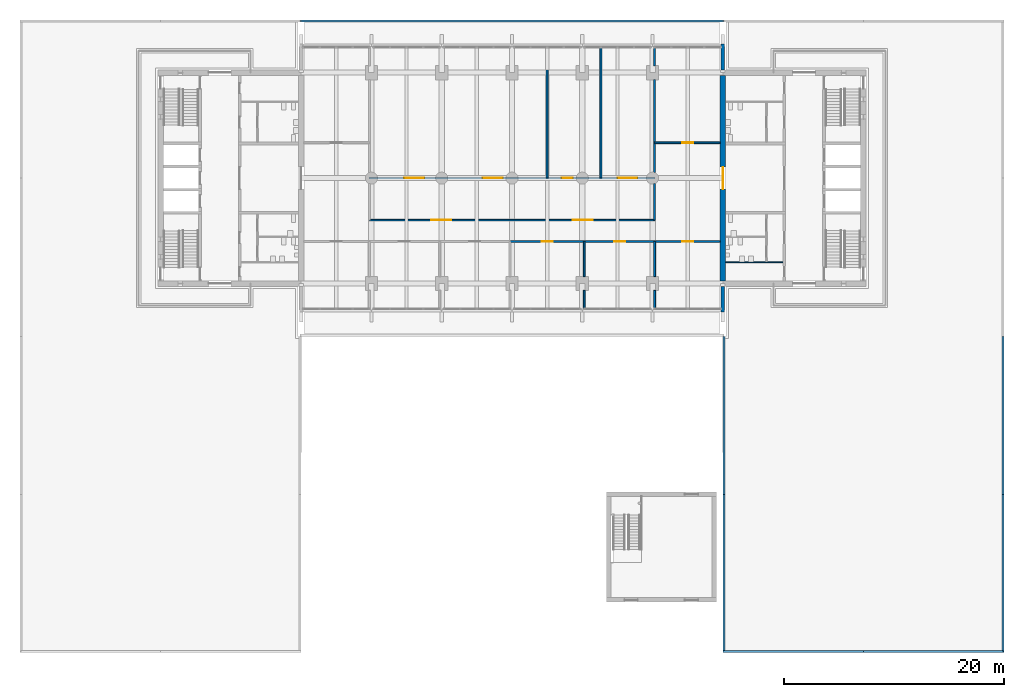
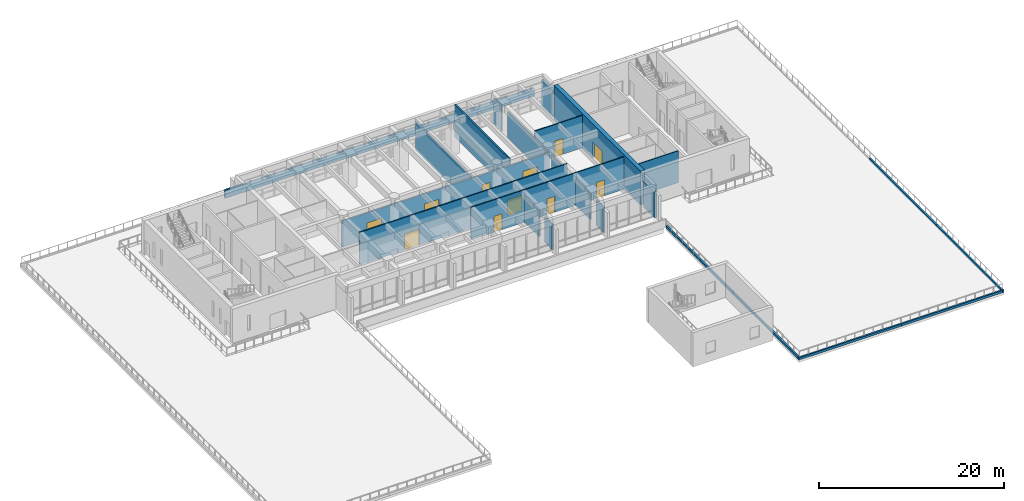
# One storey, part 13 of 21: 26 walls, 11 doors, 11 openings.
"""IFC4 building model written with IfcOpenShell, lengths in metres."""

from ifc_helpers import new_model, si_unit, direction, frame, frame_2d, origin, place, context, subcontext, project, spatial, rectangle, extrude, material, layer, layer_set, type_object, element, fill, save


model = new_model("IFC4")

# Units and contexts
model_context = context("Model", 3, precision=1e-05, world=origin(), true_north=direction((0.0, 1.0)))
body_context = subcontext(model_context, "Body", "Model", "MODEL_VIEW")
ifc_project = project(units=[si_unit("LENGTHUNIT", "METRE"), si_unit("AREAUNIT", "SQUARE_METRE"), si_unit("VOLUMEUNIT", "CUBIC_METRE"), si_unit("PLANEANGLEUNIT", "RADIAN"), si_unit("MASSUNIT", "GRAM", prefix="KILO")], contexts=[model_context])

# Site, building, storey
site_placement = place(None, origin())
site = spatial("IfcSite", under=ifc_project, at=site_placement, CompositionType="ELEMENT")
building_placement = place(site_placement, origin())
building = spatial("IfcBuilding", under=site, at=building_placement, Name="Fogon Plaza Fire Station and Headquarters Tower", CompositionType="ELEMENT")
storey_placement = place(building_placement, frame((0.0, 0.0, 8.39990234375)))
storey = spatial("IfcBuildingStorey", under=building, at=storey_placement, Name="L02", CompositionType="ELEMENT", Elevation=8.39990234375)

# Walls
ifc_material_1 = material(Name="Concrete C40", Category="concrete")
ifc_layer_1 = layer(ifc_material_1, 0.199951171875)
ifc_layer_set_1 = layer_set([ifc_layer_1], Name="Concrete C40")
wall_type_1 = type_object("IfcWallType", Name="Fair-faced RC Parapet 200", PredefinedType="PARAPET", material=ifc_layer_set_1)
wall_1_placement = place(storey_placement, frame((25.5, 57.5, 0.0), z_axis=(0.0, 0.0, 1.0), x_axis=(1.0, 0.0, 0.0)))
element("IfcWall", 1, at=wall_1_placement, inside=storey, type_object=wall_type_1, Name="Parapet N", PredefinedType="PARAPET", context=body_context, shape_type="SweptSolid", body=[
    extrude(rectangle(XDim=38.60009765625, YDim=0.199951171875, at=frame_2d((19.300048828125, 0.0))), origin(), (0.0, 0.0, 1.0), 1.10009765625),
])
ifc_material_2 = material(Name="Concrete C40", Category="concrete")
ifc_layer_2 = layer(ifc_material_2, 0.300048828125)
ifc_layer_set_2 = layer_set([ifc_layer_2], Name="Concrete C40")
wall_type_2 = type_object("IfcWallType", Name="Fair-faced RC Return Panel 300", PredefinedType="SOLIDWALL", material=ifc_layer_set_2)
wall_2_placement = place(storey_placement, frame((64.0, 31.0, 0.0), z_axis=(0.0, 0.0, 1.0), x_axis=(0.0, 1.0, 0.0)))
element("IfcWall", 2, at=wall_2_placement, inside=storey, type_object=wall_type_2, Name="Bar end return ES L02", PredefinedType="SOLIDWALL", context=body_context, shape_type="SweptSolid", body=[
    extrude(rectangle(XDim=2.35009765625, YDim=0.300048828125, at=frame_2d((1.175048828125, 0.0))), origin(), (0.0, 0.0, 1.0), 3.47998046875),
])
wall_3_placement = place(storey_placement, frame((64.0, 53.050048828125, 0.0), z_axis=(0.0, 0.0, 1.0), x_axis=(0.0, 1.0, 0.0)))
element("IfcWall", 3, at=wall_3_placement, inside=storey, type_object=wall_type_2, Name="Bar end return EN L02", PredefinedType="SOLIDWALL", context=body_context, shape_type="SweptSolid", body=[
    extrude(rectangle(XDim=2.349853515625, YDim=0.300048828125, at=frame_2d((1.1748046875, 0.0))), origin(), (0.0, 0.0, 1.0), 3.47998046875),
])
ifc_material_3 = material(Name="Blockwork", Category="masonry")
ifc_layer_3 = layer(ifc_material_3, 0.10009765625)
ifc_layer_set_3 = layer_set([ifc_layer_3], Name="Blockwork")
wall_type_3 = type_object("IfcWallType", Name="Partition Blockwork 100", PredefinedType="PARTITIONING", material=ifc_layer_set_3)
wall_4_placement = place(storey_placement, frame((69.47509765625, 35.550048828125, 0.0), z_axis=(0.0, 0.0, 1.0), x_axis=(-1.0, 0.0, 0.0)))
element("IfcWall", 4, at=wall_4_placement, inside=storey, type_object=wall_type_3, Name="Cleaner's store partition", PredefinedType="PARTITIONING", context=body_context, shape_type="SweptSolid", body=[
    extrude(rectangle(XDim=5.22509765625, YDim=0.10009765625, at=frame_2d((2.612548828125, 0.0))), origin(), (0.0, 0.0, 1.0), 4.2001953125),
])

# Wall, opening, door
ifc_material_4 = material(Name="Concrete C40", Category="concrete")
ifc_layer_4 = layer(ifc_material_4, 0.5)
ifc_layer_set_4 = layer_set([ifc_layer_4], Name="Concrete C40")
wall_type_4 = type_object("IfcWallType", Name="Shear wall 500 SW50", PredefinedType="SHEAR", material=ifc_layer_set_4)
wall_5_placement = place(storey_placement, frame((64.0, 33.85009765625, 0.0), z_axis=(0.0, 0.0, 1.0), x_axis=(0.0, 1.0, 0.0)))
wall_5 = element("IfcWall", 5, at=wall_5_placement, inside=storey, type_object=wall_type_4, Name="wall-coreB-W-L02", PredefinedType="SHEAR", context=body_context, shape_type="SweptSolid", body=[
    extrude(rectangle(XDim=18.699951171875, YDim=0.5, at=frame_2d((9.35009765625, 0.0))), origin(), (0.0, 0.0, 1.0), 4.5),
])
opening_1_placement = place(wall_5_placement, frame((8.35009765625, 0.0, 0.0)))
opening_1 = element("IfcOpeningElement", 6, at=opening_1_placement, cuts=wall_5, Name="Opening L02-D25", PredefinedType="OPENING", context=body_context, shape_type="SweptSolid", body=[
    extrude(rectangle(XDim=2.0, YDim=2.10009765625, at=frame_2d((1.0, 1.050048828125))), frame((0.0, 0.260009765625, 0.0), z_axis=(0.0, -1.0, 0.0), x_axis=(1.0, 0.0, 0.0)), (0.0, 0.0, 1.0), 0.52001953125),
])
ifc_material_5 = material(Name="Steel Fire Door Leaf", Category="steel")
door_type_1 = type_object("IfcDoorType", Name="Vestibule Double 2000x2100", OperationType="DOUBLE_DOOR_SINGLE_SWING", PredefinedType="DOOR", material=ifc_material_5)
door_1_placement = place(opening_1_placement, frame((2.0, 0.0, 0.0), z_axis=(0.0, 0.0, 1.0), x_axis=(-1.0, 0.0, 0.0)))
door_1 = element("IfcDoor", 7, at=door_1_placement, inside=storey, type_object=door_type_1, Name="Vestibule B door to the office zone", OperationType="DOUBLE_DOOR_SINGLE_SWING", OverallHeight=2.10009765625, OverallWidth=2.0, PredefinedType="DOOR", context=body_context, shape_type="SweptSolid", body=[
    extrude(rectangle(XDim=2.0, YDim=2.10009765625, at=frame_2d((1.0, 1.050048828125))), frame((0.0, 0.02490234375, 0.0), z_axis=(0.0, -1.0, 0.0), x_axis=(1.0, 0.0, 0.0)), (0.0, 0.0, 1.0), 0.050048828125),
])
fill(opening_1, door_1)

# Walls
ifc_material_6 = material(Name="Double gypsum board on twin steel stud", Category="steel")
ifc_layer_5 = layer(ifc_material_6, 0.175048828125)
ifc_layer_set_5 = layer_set([ifc_layer_5], Name="Double gypsum board on twin steel stud")
wall_type_5 = type_object("IfcWallType", Name="Tower acoustic partition 175", PredefinedType="PARTITIONING", material=ifc_layer_set_5)
wall_6_placement = place(storey_placement, frame((52.889892578125, 43.199951171875, 0.0), z_axis=(0.0, 0.0, 1.0), x_axis=(0.0, 1.0, 0.0)))
element("IfcWall", 8, at=wall_6_placement, inside=storey, type_object=wall_type_5, Name="part-L02-19", PredefinedType="PARTITIONING", context=body_context, shape_type="SweptSolid", body=[
    extrude(rectangle(XDim=11.900146484375, YDim=0.175048828125, at=frame_2d((5.9501953125, 0.0))), origin(), (0.0, 0.0, 1.0), 4.280029296875),
])
ifc_material_7 = material(Name="Double gypsum board on twin steel stud", Category="steel")
ifc_layer_6 = layer(ifc_material_7, 0.175048828125)
ifc_layer_set_6 = layer_set([ifc_layer_6], Name="Double gypsum board on twin steel stud")
wall_type_6 = type_object("IfcWallType", Name="Tower acoustic partition 175 Beam Head 600", PredefinedType="PARTITIONING", material=ifc_layer_set_6)
wall_7_placement = place(storey_placement, frame((48.0, 43.199951171875, 0.0), z_axis=(0.0, 0.0, 1.0), x_axis=(0.0, 1.0, 0.0)))
element("IfcWall", 9, at=wall_7_placement, inside=storey, type_object=wall_type_6, Name="part-L02-18", PredefinedType="PARTITIONING", context=body_context, shape_type="SweptSolid", body=[
    extrude(rectangle(XDim=11.900146484375, YDim=0.175048828125, at=frame_2d((5.9501953125, 0.0))), origin(), (0.0, 0.0, 1.0), 3.68017578125),
])
ifc_material_8 = material(Name="Double gypsum board on twin steel stud", Category="steel")
ifc_layer_7 = layer(ifc_material_8, 0.175048828125)
ifc_layer_set_7 = layer_set([ifc_layer_7], Name="Double gypsum board on twin steel stud")
wall_type_7 = type_object("IfcWallType", Name="Tower acoustic partition 175 Beam Head 900", PredefinedType="PARTITIONING", material=ifc_layer_set_7)
wall_8_placement = place(storey_placement, frame((51.3798828125, 31.300048828125, 0.0), z_axis=(0.0, 0.0, 1.0), x_axis=(0.0, 1.0, 0.0)))
element("IfcWall", 10, at=wall_8_placement, inside=storey, type_object=wall_type_7, Name="part-L02-13", PredefinedType="PARTITIONING", context=body_context, shape_type="SweptSolid", body=[
    extrude(rectangle(XDim=1.669921875, YDim=0.175048828125, at=frame_2d((0.8349609375, 0.0))), origin(), (0.0, 0.0, 1.0), 3.380126953125),
])
wall_9_placement = place(storey_placement, frame((51.3798828125, 34.22998046875, 0.0), z_axis=(0.0, 0.0, 1.0), x_axis=(0.0, 1.0, 0.0)))
element("IfcWall", 11, at=wall_9_placement, inside=storey, type_object=wall_type_7, Name="part-L02-14", PredefinedType="PARTITIONING", context=body_context, shape_type="SweptSolid", body=[
    extrude(rectangle(XDim=3.195068359375, YDim=0.175048828125, at=frame_2d((1.59765625, 0.0))), origin(), (0.0, 0.0, 1.0), 3.380126953125),
])
wall_10_placement = place(storey_placement, frame((57.780029296875, 31.300048828125, 0.0), z_axis=(0.0, 0.0, 1.0), x_axis=(0.0, 1.0, 0.0)))
element("IfcWall", 12, at=wall_10_placement, inside=storey, type_object=wall_type_7, Name="part-L02-15", PredefinedType="PARTITIONING", context=body_context, shape_type="SweptSolid", body=[
    extrude(rectangle(XDim=1.669921875, YDim=0.175048828125, at=frame_2d((0.8349609375, 0.0))), origin(), (0.0, 0.0, 1.0), 3.380126953125),
])
wall_11_placement = place(storey_placement, frame((57.780029296875, 34.22998046875, 0.0), z_axis=(0.0, 0.0, 1.0), x_axis=(0.0, 1.0, 0.0)))
element("IfcWall", 13, at=wall_11_placement, inside=storey, type_object=wall_type_7, Name="part-L02-16", PredefinedType="PARTITIONING", context=body_context, shape_type="SweptSolid", body=[
    extrude(rectangle(XDim=3.195068359375, YDim=0.175048828125, at=frame_2d((1.59765625, 0.0))), origin(), (0.0, 0.0, 1.0), 3.380126953125),
])

# Wall, opening, door
ifc_material_9 = material(Name="Gypsum board on steel stud", Category="steel")
ifc_layer_8 = layer(ifc_material_9, 0.14990234375)
ifc_layer_set_8 = layer_set([ifc_layer_8], Name="Gypsum board on steel stud")
wall_type_8 = type_object("IfcWallType", Name="Tower corridor partition 150 EI 60", PredefinedType="PARTITIONING", material=ifc_layer_set_8)
wall_12_placement = place(storey_placement, frame((44.6201171875, 37.425048828125, 0.0), z_axis=(0.0, 0.0, 1.0), x_axis=(1.0, 0.0, 0.0)))
wall_12 = element("IfcWall", 14, at=wall_12_placement, inside=storey, type_object=wall_type_8, Name="part-L02-04", PredefinedType="PARTITIONING", context=body_context, shape_type="SweptSolid", body=[
    extrude(rectangle(XDim=6.759765625, YDim=0.14990234375, at=frame_2d((3.3798828125, 0.0))), origin(), (0.0, 0.0, 1.0), 4.280029296875),
])
opening_2_placement = place(wall_12_placement, frame((2.8798828125, 0.0, 0.0)))
opening_2 = element("IfcOpeningElement", 15, at=opening_2_placement, cuts=wall_12, Name="Opening L02-D40", PredefinedType="OPENING", context=body_context, shape_type="SweptSolid", body=[
    extrude(rectangle(XDim=1.0, YDim=2.10009765625, at=frame_2d((0.5, 1.050048828125))), frame((0.0, 0.0849609375, 0.0), z_axis=(0.0, -1.0, 0.0), x_axis=(1.0, 0.0, 0.0)), (0.0, 0.0, 1.0), 0.169921875),
])
ifc_material_10 = material(Name="Timber fire door", Category="wood")
door_type_2 = type_object("IfcDoorType", Name="Tower fire door single 1000 EI 20", OperationType="SINGLE_SWING_LEFT", PredefinedType="DOOR", material=ifc_material_10)
door_2_placement = place(opening_2_placement, frame((1.0, 0.0, 0.0), z_axis=(0.0, 0.0, 1.0), x_axis=(-1.0, 0.0, 0.0)))
door_2 = element("IfcDoor", 16, at=door_2_placement, inside=storey, type_object=door_type_2, Name="door-L02-04", OperationType="SINGLE_SWING_RIGHT", OverallHeight=2.10009765625, OverallWidth=1.0, PredefinedType="DOOR", context=body_context, shape_type="SweptSolid", body=[
    extrude(rectangle(XDim=1.0, YDim=2.10009765625, at=frame_2d((0.5, 1.050048828125))), frame((0.0, 0.02490234375, 0.0), z_axis=(0.0, -1.0, 0.0), x_axis=(1.0, 0.0, 0.0)), (0.0, 0.0, 1.0), 0.050048828125),
])
fill(opening_2, door_2)

wall_13_placement = place(storey_placement, frame((51.3798828125, 37.425048828125, 0.0), z_axis=(0.0, 0.0, 1.0), x_axis=(1.0, 0.0, 0.0)))
wall_13 = element("IfcWall", 17, at=wall_13_placement, inside=storey, type_object=wall_type_8, Name="part-L02-05", PredefinedType="PARTITIONING", context=body_context, shape_type="SweptSolid", body=[
    extrude(rectangle(XDim=6.400146484375, YDim=0.14990234375, at=frame_2d((3.2001953125, 0.0))), origin(), (0.0, 0.0, 1.0), 4.280029296875),
])
opening_3_placement = place(wall_13_placement, frame((2.719970703125, 0.0, 0.0)))
opening_3 = element("IfcOpeningElement", 18, at=opening_3_placement, cuts=wall_13, Name="Opening L02-D41", PredefinedType="OPENING", context=body_context, shape_type="SweptSolid", body=[
    extrude(rectangle(XDim=1.0, YDim=2.10009765625, at=frame_2d((0.5, 1.050048828125))), frame((0.0, 0.0849609375, 0.0), z_axis=(0.0, -1.0, 0.0), x_axis=(1.0, 0.0, 0.0)), (0.0, 0.0, 1.0), 0.169921875),
])
door_3_placement = place(opening_3_placement, frame((1.0, 0.0, 0.0), z_axis=(0.0, 0.0, 1.0), x_axis=(-1.0, 0.0, 0.0)))
door_3 = element("IfcDoor", 19, at=door_3_placement, inside=storey, type_object=door_type_2, Name="door-L02-05", OperationType="SINGLE_SWING_LEFT", OverallHeight=2.10009765625, OverallWidth=1.0, PredefinedType="DOOR", context=body_context, shape_type="SweptSolid", body=[
    extrude(rectangle(XDim=1.0, YDim=2.10009765625, at=frame_2d((0.5, 1.050048828125))), frame((0.0, 0.02490234375, 0.0), z_axis=(0.0, -1.0, 0.0), x_axis=(1.0, 0.0, 0.0)), (0.0, 0.0, 1.0), 0.050048828125),
])
fill(opening_3, door_3)

wall_14_placement = place(storey_placement, frame((57.780029296875, 37.425048828125, 0.0), z_axis=(0.0, 0.0, 1.0), x_axis=(1.0, 0.0, 0.0)))
wall_14 = element("IfcWall", 20, at=wall_14_placement, inside=storey, type_object=wall_type_8, Name="part-L02-06", PredefinedType="PARTITIONING", context=body_context, shape_type="SweptSolid", body=[
    extrude(rectangle(XDim=5.969970703125, YDim=0.14990234375, at=frame_2d((2.98486328125, 0.0))), origin(), (0.0, 0.0, 1.0), 4.280029296875),
])
opening_4_placement = place(wall_14_placement, frame((2.52001953125, 0.0, 0.0)))
opening_4 = element("IfcOpeningElement", 21, at=opening_4_placement, cuts=wall_14, Name="Opening L02-D42", PredefinedType="OPENING", context=body_context, shape_type="SweptSolid", body=[
    extrude(rectangle(XDim=1.0, YDim=2.10009765625, at=frame_2d((0.5, 1.050048828125))), frame((0.0, 0.0849609375, 0.0), z_axis=(0.0, -1.0, 0.0), x_axis=(1.0, 0.0, 0.0)), (0.0, 0.0, 1.0), 0.169921875),
])
door_4_placement = place(opening_4_placement, frame((1.0, 0.0, 0.0), z_axis=(0.0, 0.0, 1.0), x_axis=(-1.0, 0.0, 0.0)))
door_4 = element("IfcDoor", 22, at=door_4_placement, inside=storey, type_object=door_type_2, Name="door-L02-06", OperationType="SINGLE_SWING_RIGHT", OverallHeight=2.10009765625, OverallWidth=1.0, PredefinedType="DOOR", context=body_context, shape_type="SweptSolid", body=[
    extrude(rectangle(XDim=1.0, YDim=2.10009765625, at=frame_2d((0.5, 1.050048828125))), frame((0.0, 0.02490234375, 0.0), z_axis=(0.0, -1.0, 0.0), x_axis=(1.0, 0.0, 0.0)), (0.0, 0.0, 1.0), 0.050048828125),
])
fill(opening_4, door_4)

# Wall, openings, doors
wall_15_placement = place(storey_placement, frame((31.820068359375, 39.375, 0.0), z_axis=(0.0, 0.0, 1.0), x_axis=(1.0, 0.0, 0.0)))
wall_15 = element("IfcWall", 23, at=wall_15_placement, inside=storey, type_object=wall_type_8, Name="part-L02-17", PredefinedType="PARTITIONING", context=body_context, shape_type="SweptSolid", body=[
    extrude(rectangle(XDim=25.9599609375, YDim=0.14990234375, at=frame_2d((12.97998046875, 0.0))), origin(), (0.0, 0.0, 1.0), 4.280029296875),
])
opening_5_placement = place(wall_15_placement, frame((5.6298828125, 0.0, 0.0)))
opening_5 = element("IfcOpeningElement", 24, at=opening_5_placement, cuts=wall_15, Name="Opening L02-D43", PredefinedType="OPENING", context=body_context, shape_type="SweptSolid", body=[
    extrude(rectangle(XDim=1.800048828125, YDim=2.10009765625, at=frame_2d((0.89990234375, 1.050048828125))), frame((0.0, 0.0849609375, 0.0), z_axis=(0.0, -1.0, 0.0), x_axis=(1.0, 0.0, 0.0)), (0.0, 0.0, 1.0), 0.169921875),
])
opening_6_placement = place(wall_15_placement, frame((18.530029296875, 0.0, 0.0)))
opening_6 = element("IfcOpeningElement", 25, at=opening_6_placement, cuts=wall_15, Name="Opening L02-D44", PredefinedType="OPENING", context=body_context, shape_type="SweptSolid", body=[
    extrude(rectangle(XDim=1.800048828125, YDim=2.10009765625, at=frame_2d((0.89990234375, 1.050048828125))), frame((0.0, 0.0849609375, 0.0), z_axis=(0.0, -1.0, 0.0), x_axis=(1.0, 0.0, 0.0)), (0.0, 0.0, 1.0), 0.169921875),
])
ifc_material_11 = material(Name="Timber fire door", Category="wood")
door_type_3 = type_object("IfcDoorType", Name="Tower fire door double 1800 EI 20", OperationType="DOUBLE_DOOR_SINGLE_SWING", PredefinedType="DOOR", material=ifc_material_11)
door_5_placement = place(opening_5_placement, frame((1.800048828125, 0.0, 0.0), z_axis=(0.0, 0.0, 1.0), x_axis=(-1.0, 0.0, 0.0)))
door_5 = element("IfcDoor", 26, at=door_5_placement, inside=storey, type_object=door_type_3, Name="door-L02-07", OperationType="DOUBLE_DOOR_SINGLE_SWING", OverallHeight=2.10009765625, OverallWidth=1.800048828125, PredefinedType="DOOR", context=body_context, shape_type="SweptSolid", body=[
    extrude(rectangle(XDim=1.800048828125, YDim=2.10009765625, at=frame_2d((0.89990234375, 1.050048828125))), frame((0.0, 0.02490234375, 0.0), z_axis=(0.0, -1.0, 0.0), x_axis=(1.0, 0.0, 0.0)), (0.0, 0.0, 1.0), 0.050048828125),
])
fill(opening_5, door_5)
door_6_placement = place(opening_6_placement, frame((1.800048828125, 0.0, 0.0), z_axis=(0.0, 0.0, 1.0), x_axis=(-1.0, 0.0, 0.0)))
door_6 = element("IfcDoor", 27, at=door_6_placement, inside=storey, type_object=door_type_3, Name="door-L02-08", OperationType="DOUBLE_DOOR_SINGLE_SWING", OverallHeight=2.10009765625, OverallWidth=1.800048828125, PredefinedType="DOOR", context=body_context, shape_type="SweptSolid", body=[
    extrude(rectangle(XDim=1.800048828125, YDim=2.10009765625, at=frame_2d((0.89990234375, 1.050048828125))), frame((0.0, 0.02490234375, 0.0), z_axis=(0.0, -1.0, 0.0), x_axis=(1.0, 0.0, 0.0)), (0.0, 0.0, 1.0), 0.050048828125),
])
fill(opening_6, door_6)

# Wall, opening, door
wall_16_placement = place(storey_placement, frame((57.780029296875, 46.425048828125, 0.0), z_axis=(0.0, 0.0, 1.0), x_axis=(1.0, 0.0, 0.0)))
wall_16 = element("IfcWall", 28, at=wall_16_placement, inside=storey, type_object=wall_type_8, Name="part-L02-25", PredefinedType="PARTITIONING", context=body_context, shape_type="SweptSolid", body=[
    extrude(rectangle(XDim=5.969970703125, YDim=0.14990234375, at=frame_2d((2.98486328125, 0.0))), origin(), (0.0, 0.0, 1.0), 4.280029296875),
])
opening_7_placement = place(wall_16_placement, frame((2.52001953125, 0.0, 0.0)))
opening_7 = element("IfcOpeningElement", 29, at=opening_7_placement, cuts=wall_16, Name="Opening L02-D46", PredefinedType="OPENING", context=body_context, shape_type="SweptSolid", body=[
    extrude(rectangle(XDim=1.0, YDim=2.10009765625, at=frame_2d((0.5, 1.050048828125))), frame((0.0, 0.0849609375, 0.0), z_axis=(0.0, -1.0, 0.0), x_axis=(1.0, 0.0, 0.0)), (0.0, 0.0, 1.0), 0.169921875),
])
door_7_placement = place(opening_7_placement, origin())
door_7 = element("IfcDoor", 30, at=door_7_placement, inside=storey, type_object=door_type_2, Name="door-L02-10", OperationType="SINGLE_SWING_LEFT", OverallHeight=2.10009765625, OverallWidth=1.0, PredefinedType="DOOR", context=body_context, shape_type="SweptSolid", body=[
    extrude(rectangle(XDim=1.0, YDim=2.10009765625, at=frame_2d((0.5, 1.050048828125))), frame((0.0, 0.02490234375, 0.0), z_axis=(0.0, -1.0, 0.0), x_axis=(1.0, 0.0, 0.0)), (0.0, 0.0, 1.0), 0.050048828125),
])
fill(opening_7, door_7)

# Wall, openings, doors
ifc_material_12 = material(Name="Gypsum board on steel stud", Category="steel")
ifc_layer_9 = layer(ifc_material_12, 0.14990234375)
ifc_layer_set_9 = layer_set([ifc_layer_9], Name="Gypsum board on steel stud")
wall_type_9 = type_object("IfcWallType", Name="Tower corridor partition 150 EI 60 Beam Head 800", PredefinedType="PARTITIONING", material=ifc_layer_set_9)
wall_17_placement = place(storey_placement, frame((31.820068359375, 43.199951171875, 0.0), z_axis=(0.0, 0.0, 1.0), x_axis=(1.0, 0.0, 0.0)))
wall_17 = element("IfcWall", 31, at=wall_17_placement, inside=storey, type_object=wall_type_9, Name="part-L02-20", PredefinedType="PARTITIONING", context=body_context, shape_type="SweptSolid", body=[
    extrude(rectangle(XDim=25.9599609375, YDim=0.14990234375, at=frame_2d((12.97998046875, 0.0))), origin(), (0.0, 0.0, 1.0), 3.47998046875),
])
opening_8_placement = place(wall_17_placement, frame((3.175048828125, 0.0, 0.0)))
opening_8 = element("IfcOpeningElement", 32, at=opening_8_placement, cuts=wall_17, Name="Opening L02-D47", PredefinedType="OPENING", context=body_context, shape_type="SweptSolid", body=[
    extrude(rectangle(XDim=1.800048828125, YDim=2.10009765625, at=frame_2d((0.89990234375, 1.050048828125))), frame((0.0, 0.0849609375, 0.0), z_axis=(0.0, -1.0, 0.0), x_axis=(1.0, 0.0, 0.0)), (0.0, 0.0, 1.0), 0.169921875),
])
opening_9_placement = place(wall_17_placement, frame((10.324951171875, 0.0, 0.0)))
opening_9 = element("IfcOpeningElement", 33, at=opening_9_placement, cuts=wall_17, Name="Opening L02-D48", PredefinedType="OPENING", context=body_context, shape_type="SweptSolid", body=[
    extrude(rectangle(XDim=1.800048828125, YDim=2.10009765625, at=frame_2d((0.89990234375, 1.050048828125))), frame((0.0, 0.0849609375, 0.0), z_axis=(0.0, -1.0, 0.0), x_axis=(1.0, 0.0, 0.0)), (0.0, 0.0, 1.0), 0.169921875),
])
opening_10_placement = place(wall_17_placement, frame((17.517578125, 0.0, 0.0)))
opening_10 = element("IfcOpeningElement", 34, at=opening_10_placement, cuts=wall_17, Name="Opening L02-D49", PredefinedType="OPENING", context=body_context, shape_type="SweptSolid", body=[
    extrude(rectangle(XDim=1.0, YDim=2.10009765625, at=frame_2d((0.5, 1.050048828125))), frame((0.0, 0.0849609375, 0.0), z_axis=(0.0, -1.0, 0.0), x_axis=(1.0, 0.0, 0.0)), (0.0, 0.0, 1.0), 0.169921875),
])
opening_11_placement = place(wall_17_placement, frame((22.607421875, 0.0, 0.0)))
opening_11 = element("IfcOpeningElement", 35, at=opening_11_placement, cuts=wall_17, Name="Opening L02-D50", PredefinedType="OPENING", context=body_context, shape_type="SweptSolid", body=[
    extrude(rectangle(XDim=1.800048828125, YDim=2.10009765625, at=frame_2d((0.89990234375, 1.050048828125))), frame((0.0, 0.0849609375, 0.0), z_axis=(0.0, -1.0, 0.0), x_axis=(1.0, 0.0, 0.0)), (0.0, 0.0, 1.0), 0.169921875),
])
door_8_placement = place(opening_8_placement, frame((1.800048828125, 0.0, 0.0), z_axis=(0.0, 0.0, 1.0), x_axis=(-1.0, 0.0, 0.0)))
door_8 = element("IfcDoor", 36, at=door_8_placement, inside=storey, type_object=door_type_3, Name="door-L02-11", OperationType="DOUBLE_DOOR_SINGLE_SWING", OverallHeight=2.10009765625, OverallWidth=1.800048828125, PredefinedType="DOOR", context=body_context, shape_type="SweptSolid", body=[
    extrude(rectangle(XDim=1.800048828125, YDim=2.10009765625, at=frame_2d((0.89990234375, 1.050048828125))), frame((0.0, 0.02490234375, 0.0), z_axis=(0.0, -1.0, 0.0), x_axis=(1.0, 0.0, 0.0)), (0.0, 0.0, 1.0), 0.050048828125),
])
fill(opening_8, door_8)
door_9_placement = place(opening_9_placement, frame((1.800048828125, 0.0, 0.0), z_axis=(0.0, 0.0, 1.0), x_axis=(-1.0, 0.0, 0.0)))
door_9 = element("IfcDoor", 37, at=door_9_placement, inside=storey, type_object=door_type_3, Name="door-L02-12", OperationType="DOUBLE_DOOR_SINGLE_SWING", OverallHeight=2.10009765625, OverallWidth=1.800048828125, PredefinedType="DOOR", context=body_context, shape_type="SweptSolid", body=[
    extrude(rectangle(XDim=1.800048828125, YDim=2.10009765625, at=frame_2d((0.89990234375, 1.050048828125))), frame((0.0, 0.02490234375, 0.0), z_axis=(0.0, -1.0, 0.0), x_axis=(1.0, 0.0, 0.0)), (0.0, 0.0, 1.0), 0.050048828125),
])
fill(opening_9, door_9)
door_10_placement = place(opening_11_placement, origin())
door_10 = element("IfcDoor", 38, at=door_10_placement, inside=storey, type_object=door_type_3, Name="door-L02-14", OperationType="DOUBLE_DOOR_SINGLE_SWING", OverallHeight=2.10009765625, OverallWidth=1.800048828125, PredefinedType="DOOR", context=body_context, shape_type="SweptSolid", body=[
    extrude(rectangle(XDim=1.800048828125, YDim=2.10009765625, at=frame_2d((0.89990234375, 1.050048828125))), frame((0.0, 0.02490234375, 0.0), z_axis=(0.0, -1.0, 0.0), x_axis=(1.0, 0.0, 0.0)), (0.0, 0.0, 1.0), 0.050048828125),
])
fill(opening_11, door_10)
ifc_material_13 = material(Name="Fire rated glazed door")
door_type_4 = type_object("IfcDoorType", Name="Tower glazed fire door single 1000 EI 20", OperationType="SINGLE_SWING_LEFT", PredefinedType="DOOR", material=ifc_material_13)
door_11_placement = place(opening_10_placement, origin())
door_11 = element("IfcDoor", 39, at=door_11_placement, inside=storey, type_object=door_type_4, Name="door-L02-13", OperationType="SINGLE_SWING_RIGHT", OverallHeight=2.10009765625, OverallWidth=1.0, PredefinedType="DOOR", context=body_context, shape_type="SweptSolid", body=[
    extrude(rectangle(XDim=1.0, YDim=2.10009765625, at=frame_2d((0.5, 1.050048828125))), frame((0.0, 0.02490234375, 0.0), z_axis=(0.0, -1.0, 0.0), x_axis=(1.0, 0.0, 0.0)), (0.0, 0.0, 1.0), 0.050048828125),
])
fill(opening_10, door_11)

# Walls
ifc_material_14 = material(Name="Gypsum board on steel stud", Category="steel")
ifc_layer_10 = layer(ifc_material_14, 0.14990234375)
ifc_layer_set_10 = layer_set([ifc_layer_10], Name="Gypsum board on steel stud")
wall_type_10 = type_object("IfcWallType", Name="Tower corridor partition 150 EI 60 Beam Head 900", PredefinedType="PARTITIONING", material=ifc_layer_set_10)
wall_18_placement = place(storey_placement, frame((57.780029296875, 39.375, 0.0), z_axis=(0.0, 0.0, 1.0), x_axis=(0.0, 1.0, 0.0)))
element("IfcWall", 40, at=wall_18_placement, inside=storey, type_object=wall_type_10, Name="part-L02-26", PredefinedType="PARTITIONING", context=body_context, shape_type="SweptSolid", body=[
    extrude(rectangle(XDim=3.3251953125, YDim=0.14990234375, at=frame_2d((1.66259765625, 0.0))), origin(), (0.0, 0.0, 1.0), 3.380126953125),
])
wall_19_placement = place(storey_placement, frame((57.780029296875, 43.69970703125, 0.0), z_axis=(0.0, 0.0, 1.0), x_axis=(0.0, 1.0, 0.0)))
element("IfcWall", 41, at=wall_19_placement, inside=storey, type_object=wall_type_10, Name="part-L02-27", PredefinedType="PARTITIONING", context=body_context, shape_type="SweptSolid", body=[
    extrude(rectangle(XDim=8.47021484375, YDim=0.14990234375, at=frame_2d((4.235107421875, 0.0))), origin(), (0.0, 0.0, 1.0), 3.380126953125),
])
wall_20_placement = place(storey_placement, frame((57.780029296875, 53.429931640625, 0.0), z_axis=(0.0, 0.0, 1.0), x_axis=(0.0, 1.0, 0.0)))
element("IfcWall", 42, at=wall_20_placement, inside=storey, type_object=wall_type_10, Name="part-L02-28", PredefinedType="PARTITIONING", context=body_context, shape_type="SweptSolid", body=[
    extrude(rectangle(XDim=1.670166015625, YDim=0.14990234375, at=frame_2d((0.8349609375, 0.0))), origin(), (0.0, 0.0, 1.0), 3.380126953125),
])
ifc_material_15 = material(Name="Concrete C40", Category="concrete")
ifc_layer_11 = layer(ifc_material_15, 0.199951171875)
ifc_layer_set_11 = layer_set([ifc_layer_11], Name="Concrete C40")
wall_type_11 = type_object("IfcWallType", Name="Upstand Kerb RC 200x300", PredefinedType="PARAPET", material=ifc_layer_set_11)
wall_21_placement = place(storey_placement, frame((64.10009765625, 28.800048828125, 0.0), z_axis=(0.0, 0.0, 1.0), x_axis=(0.0, -1.0, 0.0)))
element("IfcWall", 43, at=wall_21_placement, inside=storey, type_object=wall_type_11, Name="wall-L02-UKE001", PredefinedType="PARAPET", context=body_context, shape_type="SweptSolid", body=[
    extrude(rectangle(XDim=14.400146484375, YDim=0.199951171875, at=frame_2d((7.2001953125, 0.0))), origin(), (0.0, 0.0, 1.0), 0.300048828125),
])
wall_22_placement = place(storey_placement, frame((64.10009765625, 14.39990234375, 0.0), z_axis=(0.0, 0.0, 1.0), x_axis=(0.0, -1.0, 0.0)))
element("IfcWall", 44, at=wall_22_placement, inside=storey, type_object=wall_type_11, Name="wall-L02-UKE002", PredefinedType="PARAPET", context=body_context, shape_type="SweptSolid", body=[
    extrude(rectangle(XDim=14.2998046875, YDim=0.199951171875, at=frame_2d((7.14990234375, 0.0))), origin(), (0.0, 0.0, 1.0), 0.300048828125),
])
wall_23_placement = place(storey_placement, frame((64.0, 0.10009765625, 0.0), z_axis=(0.0, 0.0, 1.0), x_axis=(1.0, 0.0, 0.0)))
element("IfcWall", 45, at=wall_23_placement, inside=storey, type_object=wall_type_11, Name="wall-L02-UKE003", PredefinedType="PARAPET", context=body_context, shape_type="SweptSolid", body=[
    extrude(rectangle(XDim=12.800048828125, YDim=0.199951171875, at=frame_2d((6.39990234375, 0.0))), origin(), (0.0, 0.0, 1.0), 0.300048828125),
])
wall_24_placement = place(storey_placement, frame((76.800048828125, 0.10009765625, 0.0), z_axis=(0.0, 0.0, 1.0), x_axis=(1.0, 0.0, 0.0)))
element("IfcWall", 46, at=wall_24_placement, inside=storey, type_object=wall_type_11, Name="wall-L02-UKE004", PredefinedType="PARAPET", context=body_context, shape_type="SweptSolid", body=[
    extrude(rectangle(XDim=12.699951171875, YDim=0.199951171875, at=frame_2d((6.35009765625, 0.0))), origin(), (0.0, 0.0, 1.0), 0.300048828125),
])
wall_25_placement = place(storey_placement, frame((89.5, 0.0, 0.0), z_axis=(0.0, 0.0, 1.0), x_axis=(0.0, 1.0, 0.0)))
element("IfcWall", 47, at=wall_25_placement, inside=storey, type_object=wall_type_11, Name="wall-L02-UKE005", PredefinedType="PARAPET", context=body_context, shape_type="SweptSolid", body=[
    extrude(rectangle(XDim=14.39990234375, YDim=0.199951171875, at=frame_2d((7.199951171875, 0.0))), origin(), (0.0, 0.0, 1.0), 0.300048828125),
])
wall_26_placement = place(storey_placement, frame((89.5, 14.39990234375, 0.0), z_axis=(0.0, 0.0, 1.0), x_axis=(0.0, 1.0, 0.0)))
element("IfcWall", 48, at=wall_26_placement, inside=storey, type_object=wall_type_11, Name="wall-L02-UKE006", PredefinedType="PARAPET", context=body_context, shape_type="SweptSolid", body=[
    extrude(rectangle(XDim=14.400146484375, YDim=0.199951171875, at=frame_2d((7.2001953125, 0.0))), origin(), (0.0, 0.0, 1.0), 0.300048828125),
])

save(model, "model.ifc")
